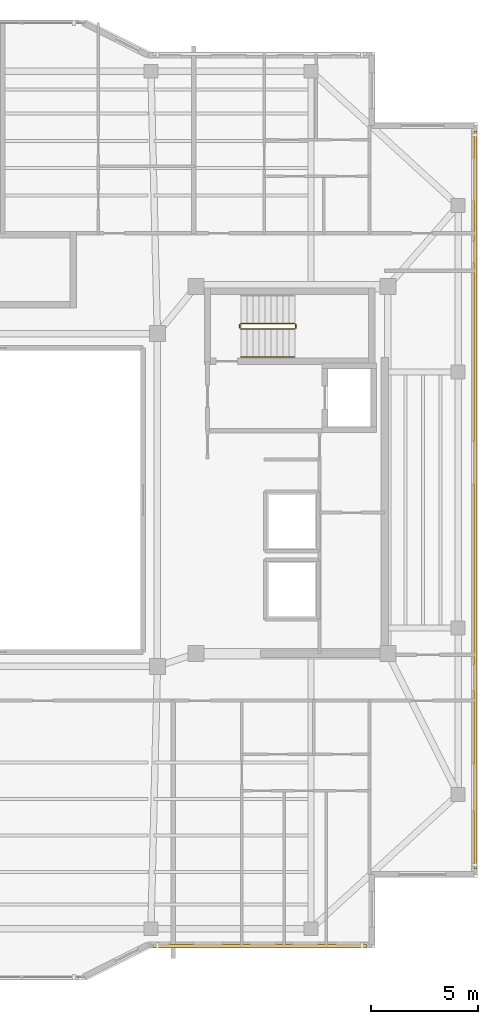
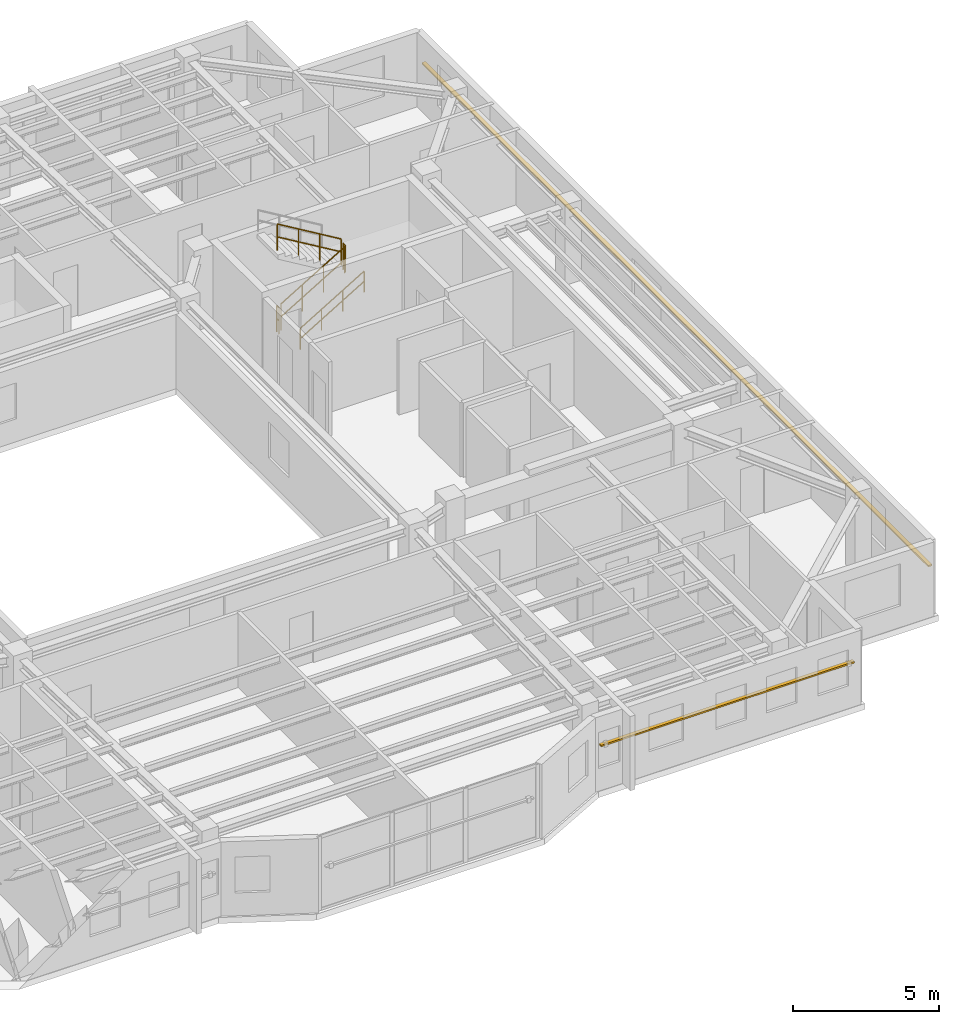
# One storey, part 13 of 14: 5 railings, 2 shading devices.
"""IFC4 building model written with IfcOpenShell, lengths in metres."""

from ifc_helpers import new_model, si_unit, direction, frame, origin, origin_2d, place, context, subcontext, project, spatial, rectangle, circle, extrude, material, material_profile, profile_set, type_object, element, save


model = new_model("IFC4")

# Units and contexts
model_context = context("Model", 3, precision=1e-05, world=origin(), true_north=direction((0.0, 1.0)))
body_context = subcontext(model_context, "Body", "Model", "MODEL_VIEW")
ifc_project = project(units=[si_unit("LENGTHUNIT", "METRE"), si_unit("AREAUNIT", "SQUARE_METRE"), si_unit("VOLUMEUNIT", "CUBIC_METRE"), si_unit("PLANEANGLEUNIT", "RADIAN"), si_unit("MASSUNIT", "GRAM", prefix="KILO")], contexts=[model_context])

# Site, building, storey
site_placement = place(None, origin())
site = spatial("IfcSite", under=ifc_project, at=site_placement, CompositionType="ELEMENT")
building_placement = place(site_placement, origin())
building = spatial("IfcBuilding", under=site, at=building_placement, Name="Tarnavaz Court Tower", CompositionType="ELEMENT")
storey_placement = place(building_placement, frame((0.0, 0.0, 258.25)))
storey = spatial("IfcBuildingStorey", under=building, at=storey_placement, Name="L70", CompositionType="ELEMENT", Elevation=258.25)

# Railings
ifc_material_1 = material(Name="Brushed Stainless Steel", Category="steel")
railing_type_1 = type_object("IfcRailingType", Name="RL-HANDRAIL-900", PredefinedType="HANDRAIL", material=ifc_material_1)
railing_1_placement = place(storey_placement, frame((11.719970703125, 6.699951171875, 0.16748046875)))
element("IfcRailing", 1, at=railing_1_placement, inside=storey, type_object=railing_type_1, Name="L70 ST-E1 stair handrail 1", PredefinedType="HANDRAIL", context=body_context, shape_type="SweptSolid", body=[
    extrude(circle(Radius=0.02392578125, at=origin_2d()), frame((0.0, 0.0, 0.8759765625), z_axis=(0.858159760407, 0.0, 0.513382728203), x_axis=(0.0, 1.0, 0.0)), (0.0, 0.0, 1.0), 2.9365234375),
    extrude(circle(Radius=0.02392578125, at=origin_2d()), frame((0.0, 0.0, 0.449951171875), z_axis=(0.858159760407, 0.0, 0.513382728203), x_axis=(0.0, 1.0, 0.0)), (0.0, 0.0, 1.0), 2.9365234375),
    extrude(circle(Radius=0.02099609375, at=origin_2d()), origin(), (0.0, 0.0, 1.0), 0.851806640625),
    extrude(circle(Radius=0.02099609375, at=origin_2d()), frame((0.840087890625, 0.0, 0.50244140625)), (0.0, 0.0, 1.0), 0.851806640625),
    extrude(circle(Radius=0.02099609375, at=origin_2d()), frame((1.679931640625, 0.0, 1.005126953125)), (0.0, 0.0, 1.0), 0.851806640625),
    extrude(circle(Radius=0.02099609375, at=origin_2d()), frame((2.52001953125, 0.0, 1.507568359375)), (0.0, 0.0, 1.0), 0.851806640625),
])
ifc_material_2 = material(Name="Galvanized Painted Tubular Steel", Category="steel")
railing_type_2 = type_object("IfcRailingType", Name="RL-STGUARD-1120", PredefinedType="GUARDRAIL", material=ifc_material_2)
railing_2_placement = place(storey_placement, frame((11.719970703125, 8.02001953125, 0.16748046875)))
element("IfcRailing", 2, at=railing_2_placement, inside=storey, type_object=railing_type_2, Name="L70 ST-E1 stair guard 1", PredefinedType="GUARDRAIL", context=body_context, shape_type="SweptSolid", body=[
    extrude(circle(Radius=0.02392578125, at=origin_2d()), frame((0.0, 0.0, 1.09619140625), z_axis=(0.858159760407, 0.0, 0.513382728203), x_axis=(0.0, 1.0, 0.0)), (0.0, 0.0, 1.0), 2.9365234375),
    extrude(circle(Radius=0.02392578125, at=origin_2d()), frame((0.0, 0.0, 0.56005859375), z_axis=(0.858159760407, 0.0, 0.513382728203), x_axis=(0.0, 1.0, 0.0)), (0.0, 0.0, 1.0), 2.9365234375),
    extrude(circle(Radius=0.02099609375, at=origin_2d()), origin(), (0.0, 0.0, 1.0), 1.072021484375),
    extrude(circle(Radius=0.02099609375, at=origin_2d()), frame((0.840087890625, 0.0, 0.50244140625)), (0.0, 0.0, 1.0), 1.072021484375),
    extrude(circle(Radius=0.02099609375, at=origin_2d()), frame((1.679931640625, 0.0, 1.005126953125)), (0.0, 0.0, 1.0), 1.072021484375),
    extrude(circle(Radius=0.02099609375, at=origin_2d()), frame((2.52001953125, 0.0, 1.507568359375)), (0.0, 0.0, 1.0), 1.072021484375),
])
railing_3_placement = place(storey_placement, frame((14.2900390625, 8.070068359375, 1.675048828125)))
element("IfcRailing", 3, at=railing_3_placement, inside=storey, type_object=railing_type_2, Name="L70 ST-E1 stair guard 2", PredefinedType="GUARDRAIL", context=body_context, shape_type="SweptSolid", body=[
    extrude(circle(Radius=0.02392578125, at=origin_2d()), frame((0.0, 0.0, 1.09619140625), z_axis=(0.0, 1.0, 0.0), x_axis=(-1.0, 0.0, 0.0)), (0.0, 0.0, 1.0), 0.14990234375),
    extrude(circle(Radius=0.02392578125, at=origin_2d()), frame((0.0, 0.0, 0.56005859375), z_axis=(0.0, 1.0, 0.0), x_axis=(-1.0, 0.0, 0.0)), (0.0, 0.0, 1.0), 0.14990234375),
    extrude(circle(Radius=0.02099609375, at=origin_2d()), origin(), (0.0, 0.0, 1.0), 1.072021484375),
    extrude(circle(Radius=0.02099609375, at=origin_2d()), frame((0.0, 0.14990234375, 0.0)), (0.0, 0.0, 1.0), 1.072021484375),
])
railing_4_placement = place(storey_placement, frame((14.239990234375, 8.27001953125, 1.842529296875)))
element("IfcRailing", 4, at=railing_4_placement, inside=storey, type_object=railing_type_2, Name="L70 ST-E1 stair guard 3", PredefinedType="GUARDRAIL", context=body_context, shape_type="SweptSolid", body=[
    extrude(circle(Radius=0.02392578125, at=origin_2d()), frame((0.0, 0.0, 1.09619140625), z_axis=(-0.858159760407, 0.0, 0.513382728203), x_axis=(0.0, -1.0, 0.0)), (0.0, 0.0, 1.0), 2.9365234375),
    extrude(circle(Radius=0.02392578125, at=origin_2d()), frame((0.0, 0.0, 0.56005859375), z_axis=(-0.858159760407, 0.0, 0.513382728203), x_axis=(0.0, -1.0, 0.0)), (0.0, 0.0, 1.0), 2.9365234375),
    extrude(circle(Radius=0.02099609375, at=origin_2d()), origin(), (0.0, 0.0, 1.0), 1.072021484375),
    extrude(circle(Radius=0.02099609375, at=origin_2d()), frame((-0.840087890625, 0.0, 0.50244140625)), (0.0, 0.0, 1.0), 1.072021484375),
    extrude(circle(Radius=0.02099609375, at=origin_2d()), frame((-1.679931640625, 0.0, 1.005126953125)), (0.0, 0.0, 1.0), 1.072021484375),
    extrude(circle(Radius=0.02099609375, at=origin_2d()), frame((-2.52001953125, 0.0, 1.507568359375)), (0.0, 0.0, 1.0), 1.072021484375),
])
railing_5_placement = place(storey_placement, frame((11.669921875, 8.070068359375, 0.0)))
element("IfcRailing", 5, at=railing_5_placement, inside=storey, type_object=railing_type_2, Name="L70 ST-E1 stair guard 4", PredefinedType="GUARDRAIL", context=body_context, shape_type="SweptSolid", body=[
    extrude(circle(Radius=0.02392578125, at=origin_2d()), frame((0.0, 0.0, 1.09619140625), z_axis=(0.0, 1.0, 0.0), x_axis=(-1.0, 0.0, 0.0)), (0.0, 0.0, 1.0), 0.14990234375),
    extrude(circle(Radius=0.02392578125, at=origin_2d()), frame((0.0, 0.0, 0.56005859375), z_axis=(0.0, 1.0, 0.0), x_axis=(-1.0, 0.0, 0.0)), (0.0, 0.0, 1.0), 0.14990234375),
    extrude(circle(Radius=0.02099609375, at=origin_2d()), origin(), (0.0, 0.0, 1.0), 1.072021484375),
    extrude(circle(Radius=0.02099609375, at=origin_2d()), frame((0.0, 0.14990234375, 0.0)), (0.0, 0.0, 1.0), 1.072021484375),
])

# Shading devices
ifc_material_3 = material(Name="Kiln-Fired Khorasan Terracotta Ceramic", Category="masonry")
ifc_material_profile = material_profile(ifc_material_3, rectangle(XDim=0.14990234375, YDim=0.06494140625, at=origin_2d()), Name="TC BAGUETTE 150X65")
ifc_profile_set = profile_set([ifc_material_profile], Name="Kiln-Fired Khorasan Terracotta Ceramic")
shading_device_type = type_object("IfcShadingDeviceType", Name="SD-BAG-150", PredefinedType="USERDEFINED", material=ifc_profile_set)
shading_device_1_placement = place(storey_placement, frame((22.7099609375, 17.300048828125, 1.85009765625), z_axis=(0.0, -1.0, 0.0), x_axis=(1.0, 0.0, 0.0)))
element("IfcShadingDevice", 6, at=shading_device_1_placement, inside=storey, type_object=shading_device_type, Name="L70 Terracotta Baguette Screen FBG12", ObjectType="BAGUETTE", PredefinedType="USERDEFINED", context=body_context, shape_type="SweptSolid", body=[
    extrude(rectangle(XDim=0.14990234375, YDim=0.06494140625, at=origin_2d()), origin(), (0.0, 0.0, 1.0), 34.60009765625),
])
shading_device_2_placement = place(storey_placement, frame((17.60009765625, -20.909912109375, 1.85009765625), z_axis=(-1.0, 0.0, 0.0), x_axis=(0.0, -1.0, 0.0)))
element("IfcShadingDevice", 7, at=shading_device_2_placement, inside=storey, type_object=shading_device_type, Name="L70 Terracotta Baguette Screen FBG15", ObjectType="BAGUETTE", PredefinedType="USERDEFINED", context=body_context, shape_type="SweptSolid", body=[
    extrude(rectangle(XDim=0.14990234375, YDim=0.06494140625, at=origin_2d()), origin(), (0.0, 0.0, 1.0), 10.0),
])

save(model, "model.ifc")
